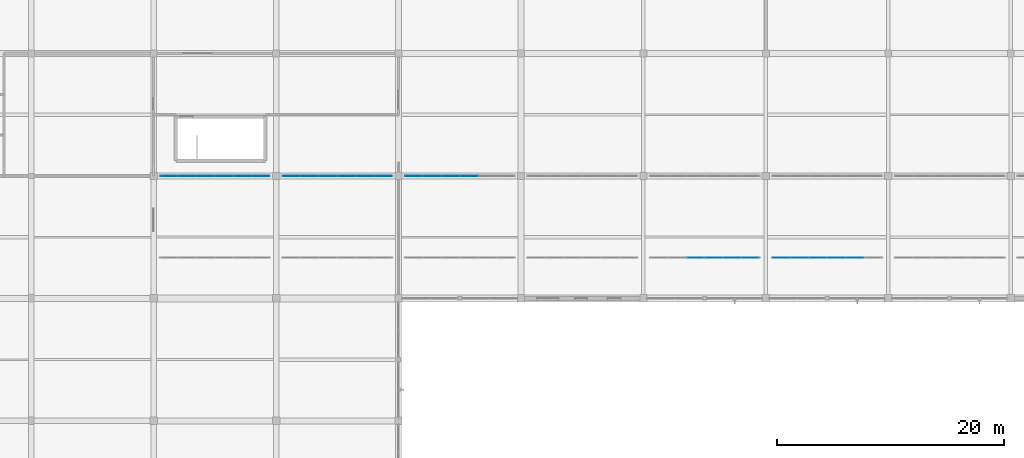
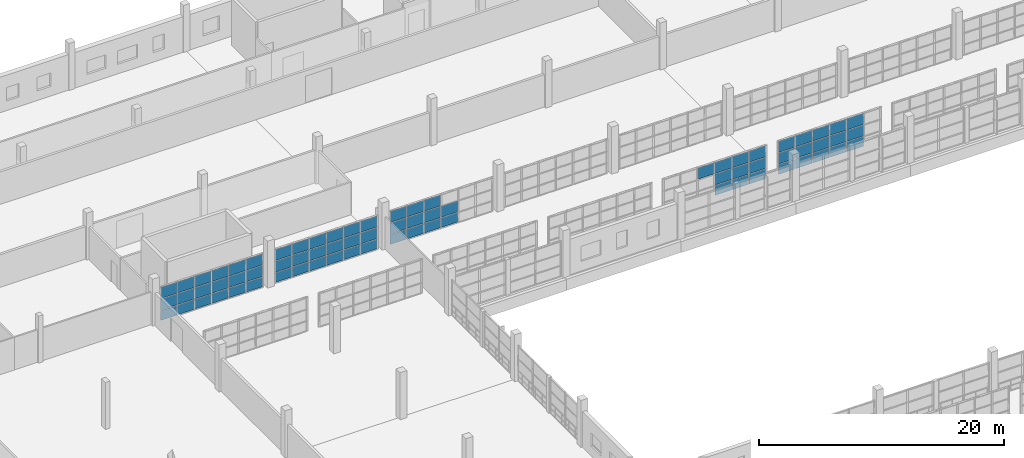
# One storey, part 93 of 142: 72 plates, 5 elements without a shape of their own.
"""IFC4 building model written with IfcOpenShell, lengths in metres."""

from ifc_helpers import new_model, si_unit, direction, frame, origin, origin_2d, place, context, subcontext, project, spatial, rectangle, extrude, material, layer, layer_set, type_object, element, aggregate, save


model = new_model("IFC4")

# Units and contexts
model_context = context("Model", 3, precision=1e-05, world=origin(), true_north=direction((0.0, 1.0)))
body_context = subcontext(model_context, "Body", "Model", "MODEL_VIEW")
ifc_project = project(units=[si_unit("LENGTHUNIT", "METRE"), si_unit("AREAUNIT", "SQUARE_METRE"), si_unit("VOLUMEUNIT", "CUBIC_METRE"), si_unit("PLANEANGLEUNIT", "RADIAN"), si_unit("MASSUNIT", "GRAM", prefix="KILO")], contexts=[model_context])

# Site, building, storey
site_placement = place(None, origin())
site = spatial("IfcSite", under=ifc_project, at=site_placement, CompositionType="ELEMENT")
building_placement = place(site_placement, origin())
building = spatial("IfcBuilding", under=site, at=building_placement, Name="Zwinboog Wholesale Market", CompositionType="ELEMENT")
storey_placement = place(building_placement, frame((0.0, 0.0, 5.39990234375)))
storey = spatial("IfcBuildingStorey", under=building, at=storey_placement, Name="L01", CompositionType="ELEMENT", Elevation=5.39990234375)

# Curtain wall, plates
ifc_material_1 = material(Name="Aluminium thermally broken curtain wall", Category="aluminium")
curtain_wall_type = type_object("IfcCurtainWallType", Name="CWT-INT-STALL", PredefinedType="USERDEFINED", material=ifc_material_1)
curtain_wall_1_placement = place(storey_placement, origin())
curtain_wall_1 = element("IfcCurtainWall", 1, at=curtain_wall_1_placement, inside=storey, type_object=curtain_wall_type, Name="CW-07 (CW-STL-239)", ObjectType="STOREFRONT_GLAZING", PredefinedType="USERDEFINED")
ifc_material_2 = material(Name="Tempered laminated market stall glazing", Category="glass")
ifc_layer = layer(ifc_material_2, 0.01611328125)
ifc_layer_set = layer_set([ifc_layer], Name="Tempered laminated market stall glazing")
plate_type = type_object("IfcPlateType", Name="CWP-INT-16", PredefinedType="CURTAIN_PANEL", material=ifc_layer_set)
plate_1_placement = place(storey_placement, frame((112.591552734375, 90.0, 2.22998046875), z_axis=(0.0, 0.0, 1.0), x_axis=(1.0, 0.0, 0.0)))
plate_1 = element("IfcPlate", 2, at=plate_1_placement, type_object=plate_type, Name="CW-07 panel 3.3", PredefinedType="CURTAIN_PANEL", context=body_context, shape_type="SweptSolid", body=[
    extrude(rectangle(XDim=1.556640625, YDim=0.01611328125, at=origin_2d()), origin(), (0.0, 0.0, 1.0), 1.110107421875),
])
plate_2_placement = place(storey_placement, frame((114.208251953125, 90.0, 0.06005859375), z_axis=(0.0, 0.0, 1.0), x_axis=(1.0, 0.0, 0.0)))
plate_2 = element("IfcPlate", 3, at=plate_2_placement, type_object=plate_type, Name="CW-07 panel 4.1", PredefinedType="CURTAIN_PANEL", context=body_context, shape_type="SweptSolid", body=[
    extrude(rectangle(XDim=1.556640625, YDim=0.01611328125, at=origin_2d()), origin(), (0.0, 0.0, 1.0), 0.9599609375),
])
plate_3_placement = place(storey_placement, frame((114.208251953125, 90.0, 1.080078125), z_axis=(0.0, 0.0, 1.0), x_axis=(1.0, 0.0, 0.0)))
plate_3 = element("IfcPlate", 4, at=plate_3_placement, type_object=plate_type, Name="CW-07 panel 4.2", PredefinedType="CURTAIN_PANEL", context=body_context, shape_type="SweptSolid", body=[
    extrude(rectangle(XDim=1.556640625, YDim=0.01611328125, at=origin_2d()), origin(), (0.0, 0.0, 1.0), 1.090087890625),
])
plate_4_placement = place(storey_placement, frame((114.208251953125, 90.0, 2.22998046875), z_axis=(0.0, 0.0, 1.0), x_axis=(1.0, 0.0, 0.0)))
plate_4 = element("IfcPlate", 5, at=plate_4_placement, type_object=plate_type, Name="CW-07 panel 4.3", PredefinedType="CURTAIN_PANEL", context=body_context, shape_type="SweptSolid", body=[
    extrude(rectangle(XDim=1.556640625, YDim=0.01611328125, at=origin_2d()), origin(), (0.0, 0.0, 1.0), 1.110107421875),
])
plate_5_placement = place(storey_placement, frame((115.824951171875, 90.0, 0.06005859375), z_axis=(0.0, 0.0, 1.0), x_axis=(1.0, 0.0, 0.0)))
plate_5 = element("IfcPlate", 6, at=plate_5_placement, type_object=plate_type, Name="CW-07 panel 5.1", PredefinedType="CURTAIN_PANEL", context=body_context, shape_type="SweptSolid", body=[
    extrude(rectangle(XDim=1.556640625, YDim=0.01611328125, at=origin_2d()), origin(), (0.0, 0.0, 1.0), 0.9599609375),
])
plate_6_placement = place(storey_placement, frame((115.824951171875, 90.0, 1.080078125), z_axis=(0.0, 0.0, 1.0), x_axis=(1.0, 0.0, 0.0)))
plate_6 = element("IfcPlate", 7, at=plate_6_placement, type_object=plate_type, Name="CW-07 panel 5.2", PredefinedType="CURTAIN_PANEL", context=body_context, shape_type="SweptSolid", body=[
    extrude(rectangle(XDim=1.556640625, YDim=0.01611328125, at=origin_2d()), origin(), (0.0, 0.0, 1.0), 1.090087890625),
])
plate_7_placement = place(storey_placement, frame((115.824951171875, 90.0, 2.22998046875), z_axis=(0.0, 0.0, 1.0), x_axis=(1.0, 0.0, 0.0)))
plate_7 = element("IfcPlate", 8, at=plate_7_placement, type_object=plate_type, Name="CW-07 panel 5.3", PredefinedType="CURTAIN_PANEL", context=body_context, shape_type="SweptSolid", body=[
    extrude(rectangle(XDim=1.556640625, YDim=0.01611328125, at=origin_2d()), origin(), (0.0, 0.0, 1.0), 1.110107421875),
])
plate_8_placement = place(storey_placement, frame((117.4267578125, 90.0, 0.06005859375), z_axis=(0.0, 0.0, 1.0), x_axis=(1.0, 0.0, 0.0)))
plate_8 = element("IfcPlate", 9, at=plate_8_placement, type_object=plate_type, Name="CW-07 panel 6.1", PredefinedType="CURTAIN_PANEL", context=body_context, shape_type="SweptSolid", body=[
    extrude(rectangle(XDim=1.526611328125, YDim=0.01611328125, at=origin_2d()), origin(), (0.0, 0.0, 1.0), 0.9599609375),
])
plate_9_placement = place(storey_placement, frame((117.4267578125, 90.0, 1.080078125), z_axis=(0.0, 0.0, 1.0), x_axis=(1.0, 0.0, 0.0)))
plate_9 = element("IfcPlate", 10, at=plate_9_placement, type_object=plate_type, Name="CW-07 panel 6.2", PredefinedType="CURTAIN_PANEL", context=body_context, shape_type="SweptSolid", body=[
    extrude(rectangle(XDim=1.526611328125, YDim=0.01611328125, at=origin_2d()), origin(), (0.0, 0.0, 1.0), 1.090087890625),
])
plate_10_placement = place(storey_placement, frame((117.4267578125, 90.0, 2.22998046875), z_axis=(0.0, 0.0, 1.0), x_axis=(1.0, 0.0, 0.0)))
plate_10 = element("IfcPlate", 11, at=plate_10_placement, type_object=plate_type, Name="CW-07 panel 6.3", PredefinedType="CURTAIN_PANEL", context=body_context, shape_type="SweptSolid", body=[
    extrude(rectangle(XDim=1.526611328125, YDim=0.01611328125, at=origin_2d()), origin(), (0.0, 0.0, 1.0), 1.110107421875),
])
aggregate(curtain_wall_1, [plate_1, plate_2, plate_3, plate_4, plate_5, plate_6, plate_7, plate_8, plate_9, plate_10])

curtain_wall_2_placement = place(storey_placement, origin())
curtain_wall_2 = element("IfcCurtainWall", 12, at=curtain_wall_2_placement, inside=storey, type_object=curtain_wall_type, Name="CW-07 (CW-STL-240)", ObjectType="STOREFRONT_GLAZING", PredefinedType="USERDEFINED")
plate_11_placement = place(storey_placement, frame((120.17333984375, 90.0, 0.06005859375), z_axis=(0.0, 0.0, 1.0), x_axis=(1.0, 0.0, 0.0)))
plate_11 = element("IfcPlate", 13, at=plate_11_placement, type_object=plate_type, Name="CW-07 panel 1.1", PredefinedType="CURTAIN_PANEL", context=body_context, shape_type="SweptSolid", body=[
    extrude(rectangle(XDim=1.526611328125, YDim=0.01611328125, at=origin_2d()), origin(), (0.0, 0.0, 1.0), 0.9599609375),
])
plate_12_placement = place(storey_placement, frame((120.17333984375, 90.0, 1.080078125), z_axis=(0.0, 0.0, 1.0), x_axis=(1.0, 0.0, 0.0)))
plate_12 = element("IfcPlate", 14, at=plate_12_placement, type_object=plate_type, Name="CW-07 panel 1.2", PredefinedType="CURTAIN_PANEL", context=body_context, shape_type="SweptSolid", body=[
    extrude(rectangle(XDim=1.526611328125, YDim=0.01611328125, at=origin_2d()), origin(), (0.0, 0.0, 1.0), 1.090087890625),
])
plate_13_placement = place(storey_placement, frame((120.17333984375, 90.0, 2.22998046875), z_axis=(0.0, 0.0, 1.0), x_axis=(1.0, 0.0, 0.0)))
plate_13 = element("IfcPlate", 15, at=plate_13_placement, type_object=plate_type, Name="CW-07 panel 1.3", PredefinedType="CURTAIN_PANEL", context=body_context, shape_type="SweptSolid", body=[
    extrude(rectangle(XDim=1.526611328125, YDim=0.01611328125, at=origin_2d()), origin(), (0.0, 0.0, 1.0), 1.110107421875),
])
plate_14_placement = place(storey_placement, frame((121.77490234375, 90.0, 0.06005859375), z_axis=(0.0, 0.0, 1.0), x_axis=(1.0, 0.0, 0.0)))
plate_14 = element("IfcPlate", 16, at=plate_14_placement, type_object=plate_type, Name="CW-07 panel 2.1", PredefinedType="CURTAIN_PANEL", context=body_context, shape_type="SweptSolid", body=[
    extrude(rectangle(XDim=1.556640625, YDim=0.01611328125, at=origin_2d()), origin(), (0.0, 0.0, 1.0), 0.9599609375),
])
plate_15_placement = place(storey_placement, frame((121.77490234375, 90.0, 1.080078125), z_axis=(0.0, 0.0, 1.0), x_axis=(1.0, 0.0, 0.0)))
plate_15 = element("IfcPlate", 17, at=plate_15_placement, type_object=plate_type, Name="CW-07 panel 2.2", PredefinedType="CURTAIN_PANEL", context=body_context, shape_type="SweptSolid", body=[
    extrude(rectangle(XDim=1.556640625, YDim=0.01611328125, at=origin_2d()), origin(), (0.0, 0.0, 1.0), 1.090087890625),
])
plate_16_placement = place(storey_placement, frame((121.77490234375, 90.0, 2.22998046875), z_axis=(0.0, 0.0, 1.0), x_axis=(1.0, 0.0, 0.0)))
plate_16 = element("IfcPlate", 18, at=plate_16_placement, type_object=plate_type, Name="CW-07 panel 2.3", PredefinedType="CURTAIN_PANEL", context=body_context, shape_type="SweptSolid", body=[
    extrude(rectangle(XDim=1.556640625, YDim=0.01611328125, at=origin_2d()), origin(), (0.0, 0.0, 1.0), 1.110107421875),
])
plate_17_placement = place(storey_placement, frame((123.3916015625, 90.0, 0.06005859375), z_axis=(0.0, 0.0, 1.0), x_axis=(1.0, 0.0, 0.0)))
plate_17 = element("IfcPlate", 19, at=plate_17_placement, type_object=plate_type, Name="CW-07 panel 3.1", PredefinedType="CURTAIN_PANEL", context=body_context, shape_type="SweptSolid", body=[
    extrude(rectangle(XDim=1.556640625, YDim=0.01611328125, at=origin_2d()), origin(), (0.0, 0.0, 1.0), 0.9599609375),
])
plate_18_placement = place(storey_placement, frame((123.3916015625, 90.0, 1.080078125), z_axis=(0.0, 0.0, 1.0), x_axis=(1.0, 0.0, 0.0)))
plate_18 = element("IfcPlate", 20, at=plate_18_placement, type_object=plate_type, Name="CW-07 panel 3.2", PredefinedType="CURTAIN_PANEL", context=body_context, shape_type="SweptSolid", body=[
    extrude(rectangle(XDim=1.556640625, YDim=0.01611328125, at=origin_2d()), origin(), (0.0, 0.0, 1.0), 1.090087890625),
])
plate_19_placement = place(storey_placement, frame((123.3916015625, 90.0, 2.22998046875), z_axis=(0.0, 0.0, 1.0), x_axis=(1.0, 0.0, 0.0)))
plate_19 = element("IfcPlate", 21, at=plate_19_placement, type_object=plate_type, Name="CW-07 panel 3.3", PredefinedType="CURTAIN_PANEL", context=body_context, shape_type="SweptSolid", body=[
    extrude(rectangle(XDim=1.556640625, YDim=0.01611328125, at=origin_2d()), origin(), (0.0, 0.0, 1.0), 1.110107421875),
])
plate_20_placement = place(storey_placement, frame((125.00830078125, 90.0, 0.06005859375), z_axis=(0.0, 0.0, 1.0), x_axis=(1.0, 0.0, 0.0)))
plate_20 = element("IfcPlate", 22, at=plate_20_placement, type_object=plate_type, Name="CW-07 panel 4.1", PredefinedType="CURTAIN_PANEL", context=body_context, shape_type="SweptSolid", body=[
    extrude(rectangle(XDim=1.556640625, YDim=0.01611328125, at=origin_2d()), origin(), (0.0, 0.0, 1.0), 0.9599609375),
])
plate_21_placement = place(storey_placement, frame((125.00830078125, 90.0, 1.080078125), z_axis=(0.0, 0.0, 1.0), x_axis=(1.0, 0.0, 0.0)))
plate_21 = element("IfcPlate", 23, at=plate_21_placement, type_object=plate_type, Name="CW-07 panel 4.2", PredefinedType="CURTAIN_PANEL", context=body_context, shape_type="SweptSolid", body=[
    extrude(rectangle(XDim=1.556640625, YDim=0.01611328125, at=origin_2d()), origin(), (0.0, 0.0, 1.0), 1.090087890625),
])
plate_22_placement = place(storey_placement, frame((125.00830078125, 90.0, 2.22998046875), z_axis=(0.0, 0.0, 1.0), x_axis=(1.0, 0.0, 0.0)))
plate_22 = element("IfcPlate", 24, at=plate_22_placement, type_object=plate_type, Name="CW-07 panel 4.3", PredefinedType="CURTAIN_PANEL", context=body_context, shape_type="SweptSolid", body=[
    extrude(rectangle(XDim=1.556640625, YDim=0.01611328125, at=origin_2d()), origin(), (0.0, 0.0, 1.0), 1.110107421875),
])
plate_23_placement = place(storey_placement, frame((126.625, 90.0, 0.06005859375), z_axis=(0.0, 0.0, 1.0), x_axis=(1.0, 0.0, 0.0)))
plate_23 = element("IfcPlate", 25, at=plate_23_placement, type_object=plate_type, Name="CW-07 panel 5.1", PredefinedType="CURTAIN_PANEL", context=body_context, shape_type="SweptSolid", body=[
    extrude(rectangle(XDim=1.556640625, YDim=0.01611328125, at=origin_2d()), origin(), (0.0, 0.0, 1.0), 0.9599609375),
])
plate_24_placement = place(storey_placement, frame((126.625, 90.0, 1.080078125), z_axis=(0.0, 0.0, 1.0), x_axis=(1.0, 0.0, 0.0)))
plate_24 = element("IfcPlate", 26, at=plate_24_placement, type_object=plate_type, Name="CW-07 panel 5.2", PredefinedType="CURTAIN_PANEL", context=body_context, shape_type="SweptSolid", body=[
    extrude(rectangle(XDim=1.556640625, YDim=0.01611328125, at=origin_2d()), origin(), (0.0, 0.0, 1.0), 1.090087890625),
])
plate_25_placement = place(storey_placement, frame((126.625, 90.0, 2.22998046875), z_axis=(0.0, 0.0, 1.0), x_axis=(1.0, 0.0, 0.0)))
plate_25 = element("IfcPlate", 27, at=plate_25_placement, type_object=plate_type, Name="CW-07 panel 5.3", PredefinedType="CURTAIN_PANEL", context=body_context, shape_type="SweptSolid", body=[
    extrude(rectangle(XDim=1.556640625, YDim=0.01611328125, at=origin_2d()), origin(), (0.0, 0.0, 1.0), 1.110107421875),
])
aggregate(curtain_wall_2, [plate_11, plate_12, plate_13, plate_14, plate_15, plate_16, plate_17, plate_18, plate_19, plate_20, plate_21, plate_22, plate_23, plate_24, plate_25])

curtain_wall_3_placement = place(storey_placement, origin())
curtain_wall_3 = element("IfcCurtainWall", 28, at=curtain_wall_3_placement, inside=storey, type_object=curtain_wall_type, Name="CW-07 (CW-STL-245)", ObjectType="STOREFRONT_GLAZING", PredefinedType="USERDEFINED")
plate_26_placement = place(storey_placement, frame((66.17333984375, 97.199951171875, 0.06005859375), z_axis=(0.0, 0.0, 1.0), x_axis=(1.0, 0.0, 0.0)))
plate_26 = element("IfcPlate", 29, at=plate_26_placement, type_object=plate_type, Name="CW-07 panel 1.1", PredefinedType="CURTAIN_PANEL", context=body_context, shape_type="SweptSolid", body=[
    extrude(rectangle(XDim=1.526611328125, YDim=0.01611328125, at=origin_2d()), origin(), (0.0, 0.0, 1.0), 0.9599609375),
])
plate_27_placement = place(storey_placement, frame((66.17333984375, 97.199951171875, 1.080078125), z_axis=(0.0, 0.0, 1.0), x_axis=(1.0, 0.0, 0.0)))
plate_27 = element("IfcPlate", 30, at=plate_27_placement, type_object=plate_type, Name="CW-07 panel 1.2", PredefinedType="CURTAIN_PANEL", context=body_context, shape_type="SweptSolid", body=[
    extrude(rectangle(XDim=1.526611328125, YDim=0.01611328125, at=origin_2d()), origin(), (0.0, 0.0, 1.0), 1.090087890625),
])
plate_28_placement = place(storey_placement, frame((66.17333984375, 97.199951171875, 2.22998046875), z_axis=(0.0, 0.0, 1.0), x_axis=(1.0, 0.0, 0.0)))
plate_28 = element("IfcPlate", 31, at=plate_28_placement, type_object=plate_type, Name="CW-07 panel 1.3", PredefinedType="CURTAIN_PANEL", context=body_context, shape_type="SweptSolid", body=[
    extrude(rectangle(XDim=1.526611328125, YDim=0.01611328125, at=origin_2d()), origin(), (0.0, 0.0, 1.0), 1.110107421875),
])
plate_29_placement = place(storey_placement, frame((67.77490234375, 97.199951171875, 0.06005859375), z_axis=(0.0, 0.0, 1.0), x_axis=(1.0, 0.0, 0.0)))
plate_29 = element("IfcPlate", 32, at=plate_29_placement, type_object=plate_type, Name="CW-07 panel 2.1", PredefinedType="CURTAIN_PANEL", context=body_context, shape_type="SweptSolid", body=[
    extrude(rectangle(XDim=1.556640625, YDim=0.01611328125, at=origin_2d()), origin(), (0.0, 0.0, 1.0), 0.9599609375),
])
plate_30_placement = place(storey_placement, frame((67.77490234375, 97.199951171875, 1.080078125), z_axis=(0.0, 0.0, 1.0), x_axis=(1.0, 0.0, 0.0)))
plate_30 = element("IfcPlate", 33, at=plate_30_placement, type_object=plate_type, Name="CW-07 panel 2.2", PredefinedType="CURTAIN_PANEL", context=body_context, shape_type="SweptSolid", body=[
    extrude(rectangle(XDim=1.556640625, YDim=0.01611328125, at=origin_2d()), origin(), (0.0, 0.0, 1.0), 1.090087890625),
])
plate_31_placement = place(storey_placement, frame((67.77490234375, 97.199951171875, 2.22998046875), z_axis=(0.0, 0.0, 1.0), x_axis=(1.0, 0.0, 0.0)))
plate_31 = element("IfcPlate", 34, at=plate_31_placement, type_object=plate_type, Name="CW-07 panel 2.3", PredefinedType="CURTAIN_PANEL", context=body_context, shape_type="SweptSolid", body=[
    extrude(rectangle(XDim=1.556640625, YDim=0.01611328125, at=origin_2d()), origin(), (0.0, 0.0, 1.0), 1.110107421875),
])
plate_32_placement = place(storey_placement, frame((69.3916015625, 97.199951171875, 0.06005859375), z_axis=(0.0, 0.0, 1.0), x_axis=(1.0, 0.0, 0.0)))
plate_32 = element("IfcPlate", 35, at=plate_32_placement, type_object=plate_type, Name="CW-07 panel 3.1", PredefinedType="CURTAIN_PANEL", context=body_context, shape_type="SweptSolid", body=[
    extrude(rectangle(XDim=1.556640625, YDim=0.01611328125, at=origin_2d()), origin(), (0.0, 0.0, 1.0), 0.9599609375),
])
plate_33_placement = place(storey_placement, frame((69.3916015625, 97.199951171875, 1.080078125), z_axis=(0.0, 0.0, 1.0), x_axis=(1.0, 0.0, 0.0)))
plate_33 = element("IfcPlate", 36, at=plate_33_placement, type_object=plate_type, Name="CW-07 panel 3.2", PredefinedType="CURTAIN_PANEL", context=body_context, shape_type="SweptSolid", body=[
    extrude(rectangle(XDim=1.556640625, YDim=0.01611328125, at=origin_2d()), origin(), (0.0, 0.0, 1.0), 1.090087890625),
])
plate_34_placement = place(storey_placement, frame((69.3916015625, 97.199951171875, 2.22998046875), z_axis=(0.0, 0.0, 1.0), x_axis=(1.0, 0.0, 0.0)))
plate_34 = element("IfcPlate", 37, at=plate_34_placement, type_object=plate_type, Name="CW-07 panel 3.3", PredefinedType="CURTAIN_PANEL", context=body_context, shape_type="SweptSolid", body=[
    extrude(rectangle(XDim=1.556640625, YDim=0.01611328125, at=origin_2d()), origin(), (0.0, 0.0, 1.0), 1.110107421875),
])
plate_35_placement = place(storey_placement, frame((71.00830078125, 97.199951171875, 0.06005859375), z_axis=(0.0, 0.0, 1.0), x_axis=(1.0, 0.0, 0.0)))
plate_35 = element("IfcPlate", 38, at=plate_35_placement, type_object=plate_type, Name="CW-07 panel 4.1", PredefinedType="CURTAIN_PANEL", context=body_context, shape_type="SweptSolid", body=[
    extrude(rectangle(XDim=1.556640625, YDim=0.01611328125, at=origin_2d()), origin(), (0.0, 0.0, 1.0), 0.9599609375),
])
plate_36_placement = place(storey_placement, frame((71.00830078125, 97.199951171875, 1.080078125), z_axis=(0.0, 0.0, 1.0), x_axis=(1.0, 0.0, 0.0)))
plate_36 = element("IfcPlate", 39, at=plate_36_placement, type_object=plate_type, Name="CW-07 panel 4.2", PredefinedType="CURTAIN_PANEL", context=body_context, shape_type="SweptSolid", body=[
    extrude(rectangle(XDim=1.556640625, YDim=0.01611328125, at=origin_2d()), origin(), (0.0, 0.0, 1.0), 1.090087890625),
])
plate_37_placement = place(storey_placement, frame((71.00830078125, 97.199951171875, 2.22998046875), z_axis=(0.0, 0.0, 1.0), x_axis=(1.0, 0.0, 0.0)))
plate_37 = element("IfcPlate", 40, at=plate_37_placement, type_object=plate_type, Name="CW-07 panel 4.3", PredefinedType="CURTAIN_PANEL", context=body_context, shape_type="SweptSolid", body=[
    extrude(rectangle(XDim=1.556640625, YDim=0.01611328125, at=origin_2d()), origin(), (0.0, 0.0, 1.0), 1.110107421875),
])
plate_38_placement = place(storey_placement, frame((72.625, 97.199951171875, 0.06005859375), z_axis=(0.0, 0.0, 1.0), x_axis=(1.0, 0.0, 0.0)))
plate_38 = element("IfcPlate", 41, at=plate_38_placement, type_object=plate_type, Name="CW-07 panel 5.1", PredefinedType="CURTAIN_PANEL", context=body_context, shape_type="SweptSolid", body=[
    extrude(rectangle(XDim=1.556640625, YDim=0.01611328125, at=origin_2d()), origin(), (0.0, 0.0, 1.0), 0.9599609375),
])
plate_39_placement = place(storey_placement, frame((72.625, 97.199951171875, 1.080078125), z_axis=(0.0, 0.0, 1.0), x_axis=(1.0, 0.0, 0.0)))
plate_39 = element("IfcPlate", 42, at=plate_39_placement, type_object=plate_type, Name="CW-07 panel 5.2", PredefinedType="CURTAIN_PANEL", context=body_context, shape_type="SweptSolid", body=[
    extrude(rectangle(XDim=1.556640625, YDim=0.01611328125, at=origin_2d()), origin(), (0.0, 0.0, 1.0), 1.090087890625),
])
plate_40_placement = place(storey_placement, frame((72.625, 97.199951171875, 2.22998046875), z_axis=(0.0, 0.0, 1.0), x_axis=(1.0, 0.0, 0.0)))
plate_40 = element("IfcPlate", 43, at=plate_40_placement, type_object=plate_type, Name="CW-07 panel 5.3", PredefinedType="CURTAIN_PANEL", context=body_context, shape_type="SweptSolid", body=[
    extrude(rectangle(XDim=1.556640625, YDim=0.01611328125, at=origin_2d()), origin(), (0.0, 0.0, 1.0), 1.110107421875),
])
plate_41_placement = place(storey_placement, frame((74.2265625, 97.199951171875, 0.06005859375), z_axis=(0.0, 0.0, 1.0), x_axis=(1.0, 0.0, 0.0)))
plate_41 = element("IfcPlate", 44, at=plate_41_placement, type_object=plate_type, Name="CW-07 panel 6.1", PredefinedType="CURTAIN_PANEL", context=body_context, shape_type="SweptSolid", body=[
    extrude(rectangle(XDim=1.526611328125, YDim=0.01611328125, at=origin_2d()), origin(), (0.0, 0.0, 1.0), 0.9599609375),
])
plate_42_placement = place(storey_placement, frame((74.2265625, 97.199951171875, 1.080078125), z_axis=(0.0, 0.0, 1.0), x_axis=(1.0, 0.0, 0.0)))
plate_42 = element("IfcPlate", 45, at=plate_42_placement, type_object=plate_type, Name="CW-07 panel 6.2", PredefinedType="CURTAIN_PANEL", context=body_context, shape_type="SweptSolid", body=[
    extrude(rectangle(XDim=1.526611328125, YDim=0.01611328125, at=origin_2d()), origin(), (0.0, 0.0, 1.0), 1.090087890625),
])
plate_43_placement = place(storey_placement, frame((74.2265625, 97.199951171875, 2.22998046875), z_axis=(0.0, 0.0, 1.0), x_axis=(1.0, 0.0, 0.0)))
plate_43 = element("IfcPlate", 46, at=plate_43_placement, type_object=plate_type, Name="CW-07 panel 6.3", PredefinedType="CURTAIN_PANEL", context=body_context, shape_type="SweptSolid", body=[
    extrude(rectangle(XDim=1.526611328125, YDim=0.01611328125, at=origin_2d()), origin(), (0.0, 0.0, 1.0), 1.110107421875),
])
aggregate(curtain_wall_3, [plate_26, plate_27, plate_28, plate_29, plate_30, plate_31, plate_32, plate_33, plate_34, plate_35, plate_36, plate_37, plate_38, plate_39, plate_40, plate_41, plate_42, plate_43])

curtain_wall_4_placement = place(storey_placement, origin())
curtain_wall_4 = element("IfcCurtainWall", 47, at=curtain_wall_4_placement, inside=storey, type_object=curtain_wall_type, Name="CW-07 (CW-STL-246)", ObjectType="STOREFRONT_GLAZING", PredefinedType="USERDEFINED")
plate_44_placement = place(storey_placement, frame((76.973388671875, 97.199951171875, 0.06005859375), z_axis=(0.0, 0.0, 1.0), x_axis=(1.0, 0.0, 0.0)))
plate_44 = element("IfcPlate", 48, at=plate_44_placement, type_object=plate_type, Name="CW-07 panel 1.1", PredefinedType="CURTAIN_PANEL", context=body_context, shape_type="SweptSolid", body=[
    extrude(rectangle(XDim=1.526611328125, YDim=0.01611328125, at=origin_2d()), origin(), (0.0, 0.0, 1.0), 0.9599609375),
])
plate_45_placement = place(storey_placement, frame((76.973388671875, 97.199951171875, 1.080078125), z_axis=(0.0, 0.0, 1.0), x_axis=(1.0, 0.0, 0.0)))
plate_45 = element("IfcPlate", 49, at=plate_45_placement, type_object=plate_type, Name="CW-07 panel 1.2", PredefinedType="CURTAIN_PANEL", context=body_context, shape_type="SweptSolid", body=[
    extrude(rectangle(XDim=1.526611328125, YDim=0.01611328125, at=origin_2d()), origin(), (0.0, 0.0, 1.0), 1.090087890625),
])
plate_46_placement = place(storey_placement, frame((76.973388671875, 97.199951171875, 2.22998046875), z_axis=(0.0, 0.0, 1.0), x_axis=(1.0, 0.0, 0.0)))
plate_46 = element("IfcPlate", 50, at=plate_46_placement, type_object=plate_type, Name="CW-07 panel 1.3", PredefinedType="CURTAIN_PANEL", context=body_context, shape_type="SweptSolid", body=[
    extrude(rectangle(XDim=1.526611328125, YDim=0.01611328125, at=origin_2d()), origin(), (0.0, 0.0, 1.0), 1.110107421875),
])
plate_47_placement = place(storey_placement, frame((78.574951171875, 97.199951171875, 0.06005859375), z_axis=(0.0, 0.0, 1.0), x_axis=(1.0, 0.0, 0.0)))
plate_47 = element("IfcPlate", 51, at=plate_47_placement, type_object=plate_type, Name="CW-07 panel 2.1", PredefinedType="CURTAIN_PANEL", context=body_context, shape_type="SweptSolid", body=[
    extrude(rectangle(XDim=1.556640625, YDim=0.01611328125, at=origin_2d()), origin(), (0.0, 0.0, 1.0), 0.9599609375),
])
plate_48_placement = place(storey_placement, frame((78.574951171875, 97.199951171875, 1.080078125), z_axis=(0.0, 0.0, 1.0), x_axis=(1.0, 0.0, 0.0)))
plate_48 = element("IfcPlate", 52, at=plate_48_placement, type_object=plate_type, Name="CW-07 panel 2.2", PredefinedType="CURTAIN_PANEL", context=body_context, shape_type="SweptSolid", body=[
    extrude(rectangle(XDim=1.556640625, YDim=0.01611328125, at=origin_2d()), origin(), (0.0, 0.0, 1.0), 1.090087890625),
])
plate_49_placement = place(storey_placement, frame((78.574951171875, 97.199951171875, 2.22998046875), z_axis=(0.0, 0.0, 1.0), x_axis=(1.0, 0.0, 0.0)))
plate_49 = element("IfcPlate", 53, at=plate_49_placement, type_object=plate_type, Name="CW-07 panel 2.3", PredefinedType="CURTAIN_PANEL", context=body_context, shape_type="SweptSolid", body=[
    extrude(rectangle(XDim=1.556640625, YDim=0.01611328125, at=origin_2d()), origin(), (0.0, 0.0, 1.0), 1.110107421875),
])
plate_50_placement = place(storey_placement, frame((80.191650390625, 97.199951171875, 0.06005859375), z_axis=(0.0, 0.0, 1.0), x_axis=(1.0, 0.0, 0.0)))
plate_50 = element("IfcPlate", 54, at=plate_50_placement, type_object=plate_type, Name="CW-07 panel 3.1", PredefinedType="CURTAIN_PANEL", context=body_context, shape_type="SweptSolid", body=[
    extrude(rectangle(XDim=1.556640625, YDim=0.01611328125, at=origin_2d()), origin(), (0.0, 0.0, 1.0), 0.9599609375),
])
plate_51_placement = place(storey_placement, frame((80.191650390625, 97.199951171875, 1.080078125), z_axis=(0.0, 0.0, 1.0), x_axis=(1.0, 0.0, 0.0)))
plate_51 = element("IfcPlate", 55, at=plate_51_placement, type_object=plate_type, Name="CW-07 panel 3.2", PredefinedType="CURTAIN_PANEL", context=body_context, shape_type="SweptSolid", body=[
    extrude(rectangle(XDim=1.556640625, YDim=0.01611328125, at=origin_2d()), origin(), (0.0, 0.0, 1.0), 1.090087890625),
])
plate_52_placement = place(storey_placement, frame((80.191650390625, 97.199951171875, 2.22998046875), z_axis=(0.0, 0.0, 1.0), x_axis=(1.0, 0.0, 0.0)))
plate_52 = element("IfcPlate", 56, at=plate_52_placement, type_object=plate_type, Name="CW-07 panel 3.3", PredefinedType="CURTAIN_PANEL", context=body_context, shape_type="SweptSolid", body=[
    extrude(rectangle(XDim=1.556640625, YDim=0.01611328125, at=origin_2d()), origin(), (0.0, 0.0, 1.0), 1.110107421875),
])
plate_53_placement = place(storey_placement, frame((81.808349609375, 97.199951171875, 0.06005859375), z_axis=(0.0, 0.0, 1.0), x_axis=(1.0, 0.0, 0.0)))
plate_53 = element("IfcPlate", 57, at=plate_53_placement, type_object=plate_type, Name="CW-07 panel 4.1", PredefinedType="CURTAIN_PANEL", context=body_context, shape_type="SweptSolid", body=[
    extrude(rectangle(XDim=1.556640625, YDim=0.01611328125, at=origin_2d()), origin(), (0.0, 0.0, 1.0), 0.9599609375),
])
plate_54_placement = place(storey_placement, frame((81.808349609375, 97.199951171875, 1.080078125), z_axis=(0.0, 0.0, 1.0), x_axis=(1.0, 0.0, 0.0)))
plate_54 = element("IfcPlate", 58, at=plate_54_placement, type_object=plate_type, Name="CW-07 panel 4.2", PredefinedType="CURTAIN_PANEL", context=body_context, shape_type="SweptSolid", body=[
    extrude(rectangle(XDim=1.556640625, YDim=0.01611328125, at=origin_2d()), origin(), (0.0, 0.0, 1.0), 1.090087890625),
])
plate_55_placement = place(storey_placement, frame((81.808349609375, 97.199951171875, 2.22998046875), z_axis=(0.0, 0.0, 1.0), x_axis=(1.0, 0.0, 0.0)))
plate_55 = element("IfcPlate", 59, at=plate_55_placement, type_object=plate_type, Name="CW-07 panel 4.3", PredefinedType="CURTAIN_PANEL", context=body_context, shape_type="SweptSolid", body=[
    extrude(rectangle(XDim=1.556640625, YDim=0.01611328125, at=origin_2d()), origin(), (0.0, 0.0, 1.0), 1.110107421875),
])
plate_56_placement = place(storey_placement, frame((83.425048828125, 97.199951171875, 0.06005859375), z_axis=(0.0, 0.0, 1.0), x_axis=(1.0, 0.0, 0.0)))
plate_56 = element("IfcPlate", 60, at=plate_56_placement, type_object=plate_type, Name="CW-07 panel 5.1", PredefinedType="CURTAIN_PANEL", context=body_context, shape_type="SweptSolid", body=[
    extrude(rectangle(XDim=1.556640625, YDim=0.01611328125, at=origin_2d()), origin(), (0.0, 0.0, 1.0), 0.9599609375),
])
plate_57_placement = place(storey_placement, frame((83.425048828125, 97.199951171875, 1.080078125), z_axis=(0.0, 0.0, 1.0), x_axis=(1.0, 0.0, 0.0)))
plate_57 = element("IfcPlate", 61, at=plate_57_placement, type_object=plate_type, Name="CW-07 panel 5.2", PredefinedType="CURTAIN_PANEL", context=body_context, shape_type="SweptSolid", body=[
    extrude(rectangle(XDim=1.556640625, YDim=0.01611328125, at=origin_2d()), origin(), (0.0, 0.0, 1.0), 1.090087890625),
])
plate_58_placement = place(storey_placement, frame((83.425048828125, 97.199951171875, 2.22998046875), z_axis=(0.0, 0.0, 1.0), x_axis=(1.0, 0.0, 0.0)))
plate_58 = element("IfcPlate", 62, at=plate_58_placement, type_object=plate_type, Name="CW-07 panel 5.3", PredefinedType="CURTAIN_PANEL", context=body_context, shape_type="SweptSolid", body=[
    extrude(rectangle(XDim=1.556640625, YDim=0.01611328125, at=origin_2d()), origin(), (0.0, 0.0, 1.0), 1.110107421875),
])
plate_59_placement = place(storey_placement, frame((85.026611328125, 97.199951171875, 0.06005859375), z_axis=(0.0, 0.0, 1.0), x_axis=(1.0, 0.0, 0.0)))
plate_59 = element("IfcPlate", 63, at=plate_59_placement, type_object=plate_type, Name="CW-07 panel 6.1", PredefinedType="CURTAIN_PANEL", context=body_context, shape_type="SweptSolid", body=[
    extrude(rectangle(XDim=1.526611328125, YDim=0.01611328125, at=origin_2d()), origin(), (0.0, 0.0, 1.0), 0.9599609375),
])
plate_60_placement = place(storey_placement, frame((85.026611328125, 97.199951171875, 1.080078125), z_axis=(0.0, 0.0, 1.0), x_axis=(1.0, 0.0, 0.0)))
plate_60 = element("IfcPlate", 64, at=plate_60_placement, type_object=plate_type, Name="CW-07 panel 6.2", PredefinedType="CURTAIN_PANEL", context=body_context, shape_type="SweptSolid", body=[
    extrude(rectangle(XDim=1.526611328125, YDim=0.01611328125, at=origin_2d()), origin(), (0.0, 0.0, 1.0), 1.090087890625),
])
plate_61_placement = place(storey_placement, frame((85.026611328125, 97.199951171875, 2.22998046875), z_axis=(0.0, 0.0, 1.0), x_axis=(1.0, 0.0, 0.0)))
plate_61 = element("IfcPlate", 65, at=plate_61_placement, type_object=plate_type, Name="CW-07 panel 6.3", PredefinedType="CURTAIN_PANEL", context=body_context, shape_type="SweptSolid", body=[
    extrude(rectangle(XDim=1.526611328125, YDim=0.01611328125, at=origin_2d()), origin(), (0.0, 0.0, 1.0), 1.110107421875),
])
aggregate(curtain_wall_4, [plate_44, plate_45, plate_46, plate_47, plate_48, plate_49, plate_50, plate_51, plate_52, plate_53, plate_54, plate_55, plate_56, plate_57, plate_58, plate_59, plate_60, plate_61])

curtain_wall_5_placement = place(storey_placement, origin())
curtain_wall_5 = element("IfcCurtainWall", 66, at=curtain_wall_5_placement, inside=storey, type_object=curtain_wall_type, Name="CW-07 (CW-STL-247)", ObjectType="STOREFRONT_GLAZING", PredefinedType="USERDEFINED")
plate_62_placement = place(storey_placement, frame((87.7734375, 97.199951171875, 0.06005859375), z_axis=(0.0, 0.0, 1.0), x_axis=(1.0, 0.0, 0.0)))
plate_62 = element("IfcPlate", 67, at=plate_62_placement, type_object=plate_type, Name="CW-07 panel 1.1", PredefinedType="CURTAIN_PANEL", context=body_context, shape_type="SweptSolid", body=[
    extrude(rectangle(XDim=1.526611328125, YDim=0.01611328125, at=origin_2d()), origin(), (0.0, 0.0, 1.0), 0.9599609375),
])
plate_63_placement = place(storey_placement, frame((87.7734375, 97.199951171875, 1.080078125), z_axis=(0.0, 0.0, 1.0), x_axis=(1.0, 0.0, 0.0)))
plate_63 = element("IfcPlate", 68, at=plate_63_placement, type_object=plate_type, Name="CW-07 panel 1.2", PredefinedType="CURTAIN_PANEL", context=body_context, shape_type="SweptSolid", body=[
    extrude(rectangle(XDim=1.526611328125, YDim=0.01611328125, at=origin_2d()), origin(), (0.0, 0.0, 1.0), 1.090087890625),
])
plate_64_placement = place(storey_placement, frame((87.7734375, 97.199951171875, 2.22998046875), z_axis=(0.0, 0.0, 1.0), x_axis=(1.0, 0.0, 0.0)))
plate_64 = element("IfcPlate", 69, at=plate_64_placement, type_object=plate_type, Name="CW-07 panel 1.3", PredefinedType="CURTAIN_PANEL", context=body_context, shape_type="SweptSolid", body=[
    extrude(rectangle(XDim=1.526611328125, YDim=0.01611328125, at=origin_2d()), origin(), (0.0, 0.0, 1.0), 1.110107421875),
])
plate_65_placement = place(storey_placement, frame((89.375, 97.199951171875, 0.06005859375), z_axis=(0.0, 0.0, 1.0), x_axis=(1.0, 0.0, 0.0)))
plate_65 = element("IfcPlate", 70, at=plate_65_placement, type_object=plate_type, Name="CW-07 panel 2.1", PredefinedType="CURTAIN_PANEL", context=body_context, shape_type="SweptSolid", body=[
    extrude(rectangle(XDim=1.556640625, YDim=0.01611328125, at=origin_2d()), origin(), (0.0, 0.0, 1.0), 0.9599609375),
])
plate_66_placement = place(storey_placement, frame((89.375, 97.199951171875, 1.080078125), z_axis=(0.0, 0.0, 1.0), x_axis=(1.0, 0.0, 0.0)))
plate_66 = element("IfcPlate", 71, at=plate_66_placement, type_object=plate_type, Name="CW-07 panel 2.2", PredefinedType="CURTAIN_PANEL", context=body_context, shape_type="SweptSolid", body=[
    extrude(rectangle(XDim=1.556640625, YDim=0.01611328125, at=origin_2d()), origin(), (0.0, 0.0, 1.0), 1.090087890625),
])
plate_67_placement = place(storey_placement, frame((89.375, 97.199951171875, 2.22998046875), z_axis=(0.0, 0.0, 1.0), x_axis=(1.0, 0.0, 0.0)))
plate_67 = element("IfcPlate", 72, at=plate_67_placement, type_object=plate_type, Name="CW-07 panel 2.3", PredefinedType="CURTAIN_PANEL", context=body_context, shape_type="SweptSolid", body=[
    extrude(rectangle(XDim=1.556640625, YDim=0.01611328125, at=origin_2d()), origin(), (0.0, 0.0, 1.0), 1.110107421875),
])
plate_68_placement = place(storey_placement, frame((90.99169921875, 97.199951171875, 0.06005859375), z_axis=(0.0, 0.0, 1.0), x_axis=(1.0, 0.0, 0.0)))
plate_68 = element("IfcPlate", 73, at=plate_68_placement, type_object=plate_type, Name="CW-07 panel 3.1", PredefinedType="CURTAIN_PANEL", context=body_context, shape_type="SweptSolid", body=[
    extrude(rectangle(XDim=1.556640625, YDim=0.01611328125, at=origin_2d()), origin(), (0.0, 0.0, 1.0), 0.9599609375),
])
plate_69_placement = place(storey_placement, frame((90.99169921875, 97.199951171875, 1.080078125), z_axis=(0.0, 0.0, 1.0), x_axis=(1.0, 0.0, 0.0)))
plate_69 = element("IfcPlate", 74, at=plate_69_placement, type_object=plate_type, Name="CW-07 panel 3.2", PredefinedType="CURTAIN_PANEL", context=body_context, shape_type="SweptSolid", body=[
    extrude(rectangle(XDim=1.556640625, YDim=0.01611328125, at=origin_2d()), origin(), (0.0, 0.0, 1.0), 1.090087890625),
])
plate_70_placement = place(storey_placement, frame((90.99169921875, 97.199951171875, 2.22998046875), z_axis=(0.0, 0.0, 1.0), x_axis=(1.0, 0.0, 0.0)))
plate_70 = element("IfcPlate", 75, at=plate_70_placement, type_object=plate_type, Name="CW-07 panel 3.3", PredefinedType="CURTAIN_PANEL", context=body_context, shape_type="SweptSolid", body=[
    extrude(rectangle(XDim=1.556640625, YDim=0.01611328125, at=origin_2d()), origin(), (0.0, 0.0, 1.0), 1.110107421875),
])
plate_71_placement = place(storey_placement, frame((92.6083984375, 97.199951171875, 0.06005859375), z_axis=(0.0, 0.0, 1.0), x_axis=(1.0, 0.0, 0.0)))
plate_71 = element("IfcPlate", 76, at=plate_71_placement, type_object=plate_type, Name="CW-07 panel 4.1", PredefinedType="CURTAIN_PANEL", context=body_context, shape_type="SweptSolid", body=[
    extrude(rectangle(XDim=1.556640625, YDim=0.01611328125, at=origin_2d()), origin(), (0.0, 0.0, 1.0), 0.9599609375),
])
plate_72_placement = place(storey_placement, frame((92.6083984375, 97.199951171875, 1.080078125), z_axis=(0.0, 0.0, 1.0), x_axis=(1.0, 0.0, 0.0)))
plate_72 = element("IfcPlate", 77, at=plate_72_placement, type_object=plate_type, Name="CW-07 panel 4.2", PredefinedType="CURTAIN_PANEL", context=body_context, shape_type="SweptSolid", body=[
    extrude(rectangle(XDim=1.556640625, YDim=0.01611328125, at=origin_2d()), origin(), (0.0, 0.0, 1.0), 1.090087890625),
])
aggregate(curtain_wall_5, [plate_62, plate_63, plate_64, plate_65, plate_66, plate_67, plate_68, plate_69, plate_70, plate_71, plate_72])

save(model, "model.ifc")
